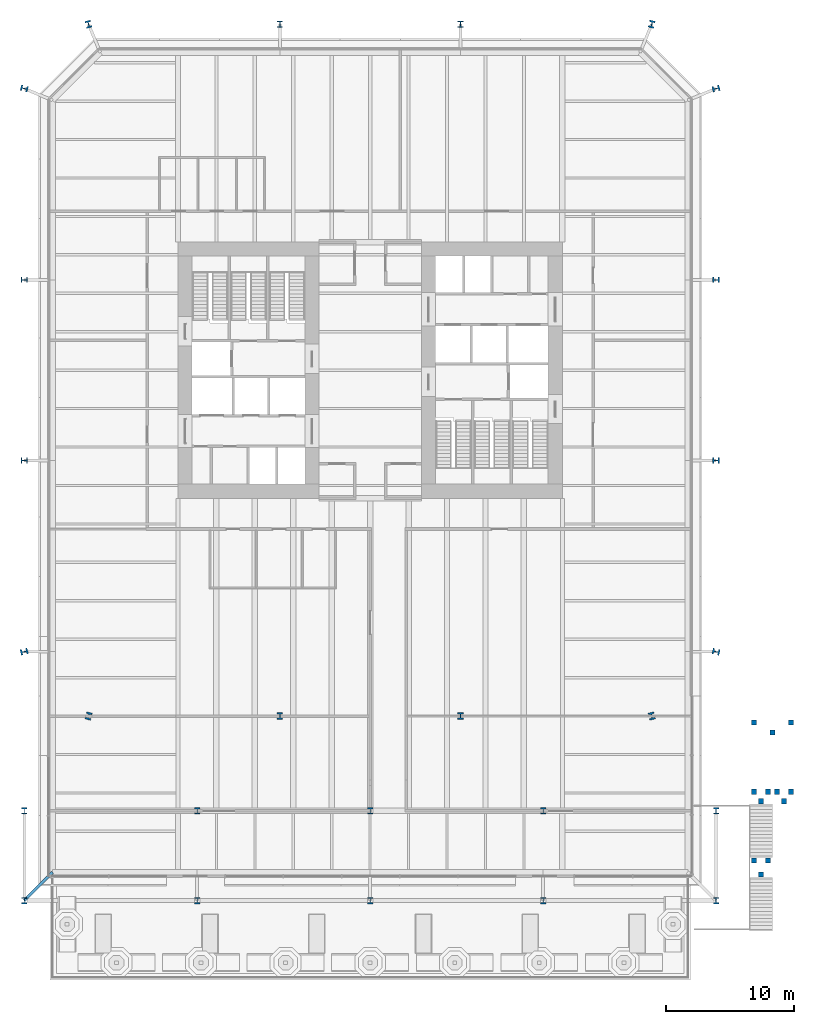
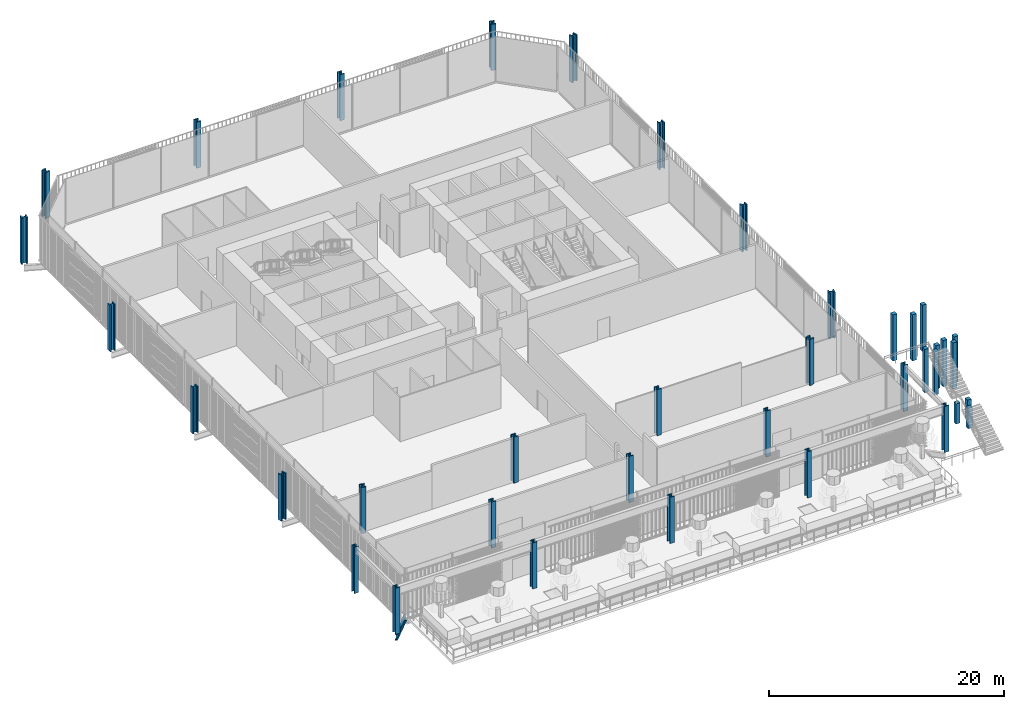
# One storey, part 1 of 25: 38 columns, 1 beam.
"""IFC4 building model written with IfcOpenShell, lengths in metres."""

import ifcopenshell
import ifcopenshell.guid

model = None  # the IFC model being written
_history = None  # IfcOwnerHistory: only IFC2X3 demands one
_inside = {}  # id of a spatial element -> (the spatial element, [elements in it])
_under = {}  # id of a project, library or spatial element -> (it, [spatial elements below it])
_declared = {}  # id of a project -> (the project, [libraries it declares])
_typed = {}  # id of a type object -> (the type object, [elements of that type])
_made_of = {}  # id of a material, layer set ... -> (it, [elements and type objects made of it])


def new_model(schema):
    """Start an empty IFC model of exactly this schema.

    Asked for "IFC4X3", IfcOpenShell would pick the latest addendum, in which some entities
    have other attributes; the version numbers below select the first issue.
    IFC2X3 requires an IfcOwnerHistory on every rooted entity: one is made here for all.
    """
    global model, _history
    if schema == "IFC4X3":
        model = ifcopenshell.file(schema_version=(4, 3, 0, 0))
    else:
        model = ifcopenshell.file(schema=schema)
    _inside.clear()
    _under.clear()
    _declared.clear()
    _typed.clear()
    _made_of.clear()
    _history = None
    if model.schema == "IFC2X3":
        org = make("IfcOrganization", Name="unknown")
        user = make(
            "IfcPersonAndOrganization",
            ThePerson=make("IfcPerson", FamilyName="unknown"),
            TheOrganization=org,
        )
        app = make(
            "IfcApplication",
            ApplicationDeveloper=org,
            Version="unknown",
            ApplicationFullName="unknown",
            ApplicationIdentifier="unknown",
        )
        _history = make(
            "IfcOwnerHistory",
            OwningUser=user,
            OwningApplication=app,
            ChangeAction="ADDED",
            CreationDate=0,
        )
    return model


def make(cls, **values):
    """One entity of the class cls with the attributes given. An attribute that is None is left unset."""
    return model.create_entity(
        cls, **{name: value for name, value in values.items() if value is not None}
    )


def rooted(cls, **values):
    """An entity with a GlobalId (a new one), such as an element, a storey or a relation."""
    return make(cls, GlobalId=ifcopenshell.guid.new(), OwnerHistory=_history, **values)


def si_unit(unit_type, name, prefix=None):
    """IfcSIUnit, for example si_unit("LENGTHUNIT", "METRE", prefix="MILLI")."""
    return make("IfcSIUnit", UnitType=unit_type, Prefix=prefix, Name=name)


def assignment(units):
    """IfcUnitAssignment: the units of a project."""
    return None if units is None else make("IfcUnitAssignment", Units=units)


def point(xyz):
    """IfcCartesianPoint."""
    return None if xyz is None else make("IfcCartesianPoint", Coordinates=xyz)


def direction(xyz):
    """IfcDirection."""
    return None if xyz is None else make("IfcDirection", DirectionRatios=xyz)


def frame(location, z_axis=None, x_axis=None):
    """IfcAxis2Placement3D, a coordinate frame: its origin and axes. An axis left out is left unset."""
    return make(
        "IfcAxis2Placement3D",
        Location=point(location),
        Axis=direction(z_axis),
        RefDirection=direction(x_axis),
    )


def frame_2d(location, x_axis=None):
    """IfcAxis2Placement2D, a coordinate frame in the plane: its origin and x axis."""
    return make(
        "IfcAxis2Placement2D", Location=point(location), RefDirection=direction(x_axis)
    )


def origin():
    """The frame at (0, 0, 0) with its axes left unset."""
    return frame((0.0, 0.0, 0.0))


def origin_2d():
    """The frame at (0, 0) in the plane with its x axis left unset."""
    return frame_2d((0.0, 0.0))


def place(relative_to, where):
    """IfcLocalPlacement: puts the frame where relative to a parent placement (None: the world)."""
    return make(
        "IfcLocalPlacement", PlacementRelTo=relative_to, RelativePlacement=where
    )


def context(
    kind, dimensions, precision=None, world=None, true_north=None, identifier=None
):
    """IfcGeometricRepresentationContext, for example the 3D "Model" context."""
    return make(
        "IfcGeometricRepresentationContext",
        ContextIdentifier=identifier,
        ContextType=kind,
        CoordinateSpaceDimension=dimensions,
        Precision=precision,
        WorldCoordinateSystem=world,
        TrueNorth=true_north,
    )


def subcontext(parent, identifier, kind, view, scale=None):
    """IfcGeometricRepresentationSubContext, for example "Body" below "Model"."""
    return make(
        "IfcGeometricRepresentationSubContext",
        ContextIdentifier=identifier,
        ContextType=kind,
        ParentContext=parent,
        TargetScale=scale,
        TargetView=view,
    )


def project(units=None, contexts=None):
    """IfcProject with its units and contexts."""
    return rooted(
        "IfcProject",
        Name="project",
        RepresentationContexts=contexts,
        UnitsInContext=assignment(units),
    )


def spatial(cls, under=None, at=None, **own):
    """A site, building, storey or space (cls), placed at a placement, below another one or the project."""
    s = rooted(cls, ObjectPlacement=at, **own)
    if under is not None:
        _under.setdefault(under.id(), (under, []))[1].append(s)
    return s


def profile(cls, at=None, kind="AREA", **sizes):
    """A parametric profile (cls). Its sizes go by their IFC names, for example OverallWidth=200.0."""
    return make(cls, ProfileType=kind, Position=at, **sizes)


def rectangle(**sizes):
    """IfcRectangleProfileDef."""
    return profile("IfcRectangleProfileDef", **sizes)


def i_section(**sizes):
    """IfcIShapeProfileDef."""
    return profile("IfcIShapeProfileDef", **sizes)


def extrude(swept, where, along, depth):
    """IfcExtrudedAreaSolid: the profile swept, set in the frame where, extruded along a direction by depth."""
    return make(
        "IfcExtrudedAreaSolid",
        SweptArea=swept,
        Position=where,
        ExtrudedDirection=direction(along),
        Depth=depth,
    )


def shape(context_of_items, identifier, shape_type, items):
    """IfcShapeRepresentation: the items that make up one representation, for example the "Body"."""
    return make(
        "IfcShapeRepresentation",
        ContextOfItems=context_of_items,
        RepresentationIdentifier=identifier,
        RepresentationType=shape_type,
        Items=items,
    )


def material(Name=None, Category=None):
    """IfcMaterial."""
    return make("IfcMaterial", Name=Name, Category=Category)


def material_profile(
    of_material, cross_section, Name=None, Category=None, Priority=None
):
    """IfcMaterialProfile: a cross section and its material."""
    return make(
        "IfcMaterialProfile",
        Name=Name,
        Material=of_material,
        Profile=cross_section,
        Priority=Priority,
        Category=Category,
    )


def profile_set(profiles, Name=None, composite=None):
    """IfcMaterialProfileSet."""
    return make(
        "IfcMaterialProfileSet",
        Name=Name,
        MaterialProfiles=profiles,
        CompositeProfile=composite,
    )


def made_of(thing, what):
    """Note that an element or type object is made of a material, layer set ...; save() writes the relation."""
    if what is not None:
        _made_of.setdefault(what.id(), (what, []))[1].append(thing)
    return thing


def type_object(cls, material=None, **own):
    """A type object (cls), such as IfcWallType, which elements share."""
    return made_of(rooted(cls, **own), material)


def element(
    cls,
    number,
    at=None,
    inside=None,
    cuts=None,
    type_object=None,
    material=None,
    context=None,
    identifier="Body",
    shape_type=None,
    held_by="IfcProductDefinitionShape",
    body=None,
    shapes=None,
    **own,
):
    """One element of the class cls, such as IfcWall. Its Tag is "e" and its number.

    at: its placement. inside: the storey or other place that contains it. cuts: it is an
    opening in that element (IfcRelVoidsElement). A single representation is given by context,
    identifier, shape_type and body (its items); several are given by shapes. held_by: the class
    of the entity that holds the representations. save() writes the other relations.
    """
    e = rooted(cls, Tag="e%d" % number, ObjectPlacement=at, **own)
    if body is not None:
        shapes = [shape(context, identifier, shape_type, body)]
    if shapes is not None:
        e.Representation = make(held_by, Representations=shapes)
    if inside is not None:
        _inside.setdefault(inside.id(), (inside, []))[1].append(e)
    if cuts is not None:
        rooted(
            "IfcRelVoidsElement", RelatingBuildingElement=cuts, RelatedOpeningElement=e
        )
    if type_object is not None:
        _typed.setdefault(type_object.id(), (type_object, []))[1].append(e)
    return made_of(e, material)


def aggregate(whole, parts):
    """IfcRelAggregates: a whole, such as a stair, and the parts it consists of."""
    return rooted("IfcRelAggregates", RelatingObject=whole, RelatedObjects=parts)


def save(model, path):
    """Write the relations noted so far, then the file.

    IfcRelAggregates (storeys below a building ...), IfcRelContainedInSpatialStructure (elements
    in a storey), IfcRelDefinesByType, IfcRelAssociatesMaterial and IfcRelDeclares: one each for
    every whole, place, type object, material and project.
    """
    for whole, parts in _under.values():
        aggregate(whole, parts)
    for where, things in _inside.values():
        rooted(
            "IfcRelContainedInSpatialStructure",
            RelatedElements=things,
            RelatingStructure=where,
        )
    for kind, things in _typed.values():
        rooted("IfcRelDefinesByType", RelatedObjects=things, RelatingType=kind)
    for what, things in _made_of.values():
        rooted("IfcRelAssociatesMaterial", RelatedObjects=things, RelatingMaterial=what)
    for by, libraries in _declared.values():
        rooted("IfcRelDeclares", RelatingContext=by, RelatedDefinitions=libraries)
    model.write(path)


model = new_model("IFC4")

# Units and contexts
model_context = context("Model", 3, precision=1e-05, world=origin(), true_north=direction((0.0, 1.0)))
body_context = subcontext(model_context, "Body", "Model", "MODEL_VIEW")
ifc_project = project(units=[si_unit("LENGTHUNIT", "METRE"), si_unit("AREAUNIT", "SQUARE_METRE"), si_unit("VOLUMEUNIT", "CUBIC_METRE"), si_unit("PLANEANGLEUNIT", "RADIAN"), si_unit("MASSUNIT", "GRAM", prefix="KILO")], contexts=[model_context])

# Site, building, storey
site_placement = place(None, origin())
site = spatial("IfcSite", under=ifc_project, at=site_placement, CompositionType="ELEMENT")
building_placement = place(site_placement, origin())
building = spatial("IfcBuilding", under=site, at=building_placement, Name="Millrace Tower", CompositionType="ELEMENT")
storey_placement = place(building_placement, frame((0.0, 0.0, 6.5)))
storey = spatial("IfcBuildingStorey", under=building, at=storey_placement, Name="L02", CompositionType="ELEMENT", Elevation=6.5)

# Columns
ifc_material_1 = material(Name="Steel ASTM A913 Grade 65", Category="steel")
ifc_material_profile_1 = material_profile(ifc_material_1, i_section(OverallWidth=0.44189453125, OverallDepth=0.53076171875, WebThickness=0.06591796875, FlangeThickness=0.105712890625, FilletRadius=0.01513671875, at=origin_2d()))
ifc_profile_set_1 = profile_set([ifc_material_profile_1], Name="Steel ASTM A913 Grade 65")
column_type_1 = type_object("IfcColumnType", Name="Exoskeleton column W14x605", PredefinedType="COLUMN", material=ifc_profile_set_1)
for number, where, z_axis, x_axis, name in (
    (1, (-7.050048828125, -27.0, 0.0), (0.0, 0.0, 1.0), (1.0, 0.0, 0.0), "COL-A-L02-X03"),
    (2, (7.050048828125, -27.0, 0.0), (0.0, 0.0, 1.0), (1.0, 0.0, 0.0), "COL-A-L02-X04"),
    (3, (27.0, -7.050048828125, 0.0), (0.0, 0.0, 1.0), (0.0, 1.0, 0.0), "COL-A-L02-X07"),
    (4, (27.0, 7.050048828125, 0.0), (0.0, 0.0, 1.0), (0.0, 1.0, 0.0), "COL-A-L02-X08"),
    (5, (7.050048828125, 27.0, 0.0), (0.0, 0.0, 1.0), (-1.0, 0.0, 0.0), "COL-A-L02-X11"),
    (6, (-7.050048828125, 27.0, 0.0), (0.0, 0.0, 1.0), (-1.0, 0.0, 0.0), "COL-A-L02-X12"),
    (7, (-27.0, 7.050048828125, 0.0), (0.0, 0.0, 1.0), (0.0, -1.0, 0.0), "COL-A-L02-X15"),
    (8, (-27.0, -7.050048828125, 0.0), (0.0, 0.0, 1.0), (0.0, -1.0, 0.0), "COL-A-L02-X16"),
):
    element("IfcColumn", number, at=place(storey_placement, frame(where, z_axis=z_axis, x_axis=x_axis)), inside=storey, type_object=column_type_1, Name=name, PredefinedType="COLUMN", context=body_context, shape_type="SweptSolid", body=[
        extrude(i_section(OverallWidth=0.44189453125, OverallDepth=0.53076171875, WebThickness=0.06591796875, FlangeThickness=0.105712890625, FilletRadius=0.01513671875, at=origin_2d()), origin(), (0.0, 0.0, 1.0), 4.800048828125),
    ])
ifc_material_2 = material(Name="Steel ASTM A913 Grade 65", Category="steel")
ifc_material_profile_2 = material_profile(ifc_material_2, i_section(OverallWidth=0.45458984375, OverallDepth=0.56884765625, WebThickness=0.077880859375, FlangeThickness=0.124755859375, FilletRadius=0.01513671875, at=origin_2d()))
ifc_profile_set_2 = profile_set([ifc_material_profile_2], Name="Steel ASTM A913 Grade 65")
column_type_2 = type_object("IfcColumnType", Name="Exoskeleton column W14x730", PredefinedType="COLUMN", material=ifc_profile_set_2)
for number, where, z_axis, x_axis, name in (
    (9, (-27.0, -21.978515625, 0.0), (0.0, 0.0, 1.0), (0.244094142872, -0.969751540043, 0.0), "COL-A-L02-X01"),
    (10, (-21.978515625, -27.0, 0.0), (0.0, 0.0, 1.0), (0.969751540043, -0.244094142872, 0.0), "COL-A-L02-X02"),
    (11, (21.978515625, -27.0, 0.0), (0.0, 0.0, 1.0), (0.969751540043, 0.244094142872, 0.0), "COL-A-L02-X05"),
    (12, (27.0, -21.978515625, 0.0), (0.0, 0.0, 1.0), (0.244094142872, 0.969751540043, 0.0), "COL-A-L02-X06"),
    (13, (27.0, 21.978515625, 0.0), (0.0, 0.0, 1.0), (-0.244094142872, 0.969751540043, 0.0), "COL-A-L02-X09"),
    (14, (21.978515625, 27.0, 0.0), (0.0, 0.0, 1.0), (-0.969751540043, 0.244094142872, 0.0), "COL-A-L02-X10"),
    (15, (-21.978515625, 27.0, 0.0), (0.0, 0.0, 1.0), (-0.969751540043, -0.244094142872, 0.0), "COL-A-L02-X13"),
    (16, (-27.0, 21.978515625, 0.0), (0.0, 0.0, 1.0), (-0.244094142872, -0.969751540043, 0.0), "COL-A-L02-X14"),
):
    element("IfcColumn", number, at=place(storey_placement, frame(where, z_axis=z_axis, x_axis=x_axis)), inside=storey, type_object=column_type_2, Name=name, PredefinedType="COLUMN", context=body_context, shape_type="SweptSolid", body=[
        extrude(i_section(OverallWidth=0.45458984375, OverallDepth=0.56884765625, WebThickness=0.077880859375, FlangeThickness=0.124755859375, FilletRadius=0.01513671875, at=origin_2d()), origin(), (0.0, 0.0, 1.0), 4.800048828125),
    ])
ifc_material_3 = material(Name="Concrete C45", Category="concrete")
ifc_material_profile_3 = material_profile(ifc_material_3, rectangle(XDim=0.39990234375, YDim=0.39990234375, at=origin_2d()))
ifc_profile_set_3 = profile_set([ifc_material_profile_3], Name="Concrete C45")
column_type_3 = type_object("IfcColumnType", Name="Landing pier column 400", PredefinedType="COLUMN", material=ifc_profile_set_3)
for number, where, z_axis, x_axis, name in (
    (17, (29.949951171875, -38.27001953125, 0.0), (0.0, 0.0, 1.0), (1.0, 0.0, 0.0), "Landing pier column RP-B-MID 1 L02"),
    (18, (30.5, -39.3701171875, 0.0), (0.0, 0.0, 1.0), (1.0, 0.0, 0.0), "Landing pier column RP-B-MID 2 L02"),
    (19, (31.050048828125, -38.27001953125, 0.0), (0.0, 0.0, 1.0), (1.0, 0.0, 0.0), "Landing pier column RP-B-MID 3 L02"),
):
    element("IfcColumn", number, at=place(storey_placement, frame(where, z_axis=z_axis, x_axis=x_axis)), inside=storey, type_object=column_type_3, Name=name, PredefinedType="COLUMN", context=body_context, shape_type="SweptSolid", body=[
        extrude(rectangle(XDim=0.39990234375, YDim=0.39990234375, at=origin_2d()), origin(), (0.0, 0.0, 1.0), 2.10009765625),
    ])
for number, where, z_axis, x_axis, name in (
    (20, (29.949951171875, -32.909912109375, 0.0), (0.0, 0.0, 1.0), (1.0, 0.0, 0.0), "Landing pier column RP-B-TOP 1 L02"),
    (21, (30.5, -33.64990234375, 0.0), (0.0, 0.0, 1.0), (1.0, 0.0, 0.0), "Landing pier column RP-B-TOP 2 L02"),
    (22, (31.050048828125, -32.909912109375, 0.0), (0.0, 0.0, 1.0), (1.0, 0.0, 0.0), "Landing pier column RP-B-TOP 3 L02"),
):
    element("IfcColumn", number, at=place(storey_placement, frame(where, z_axis=z_axis, x_axis=x_axis)), inside=storey, type_object=column_type_3, Name=name, PredefinedType="COLUMN", context=body_context, shape_type="SweptSolid", body=[
        extrude(rectangle(XDim=0.39990234375, YDim=0.39990234375, at=origin_2d()), origin(), (0.0, 0.0, 1.0), 4.5),
    ])
for number, where, z_axis, x_axis, name in (
    (23, (29.949951171875, -27.489990234375, 0.0), (0.0, 0.0, 1.0), (1.0, 0.0, 0.0), "Landing pier column RP-C-MID 1 L02"),
    (24, (31.39990234375, -28.2900390625, 0.0), (0.0, 0.0, 1.0), (1.0, 0.0, 0.0), "Landing pier column RP-C-MID 2 L02"),
    (25, (32.85009765625, -27.489990234375, 0.0), (0.0, 0.0, 1.0), (1.0, 0.0, 0.0), "Landing pier column RP-C-MID 3 L02"),
    (26, (31.75, -32.909912109375, 0.0), (0.0, 0.0, 1.0), (1.0, 0.0, 0.0), "Landing pier column RP-C-TOP 1 L02"),
    (27, (32.300048828125, -33.64990234375, 0.0), (0.0, 0.0, 1.0), (1.0, 0.0, 0.0), "Landing pier column RP-C-TOP 2 L02"),
    (28, (32.85009765625, -32.909912109375, 0.0), (0.0, 0.0, 1.0), (1.0, 0.0, 0.0), "Landing pier column RP-C-TOP 3 L02"),
):
    element("IfcColumn", number, at=place(storey_placement, frame(where, z_axis=z_axis, x_axis=x_axis)), inside=storey, type_object=column_type_3, Name=name, PredefinedType="COLUMN", context=body_context, shape_type="SweptSolid", body=[
        extrude(rectangle(XDim=0.39990234375, YDim=0.39990234375, at=origin_2d()), origin(), (0.0, 0.0, 1.0), 4.800048828125),
    ])
ifc_material_4 = material(Name="Steel ASTM A913 Grade 65", Category="steel")
ifc_material_profile_4 = material_profile(ifc_material_4, i_section(OverallWidth=0.431884765625, OverallDepth=0.497802734375, WebThickness=0.0556640625, FlangeThickness=0.0888671875, FilletRadius=0.01513671875, at=origin_2d()))
ifc_profile_set_4 = profile_set([ifc_material_profile_4], Name="Steel ASTM A913 Grade 65")
column_type_4 = type_object("IfcColumnType", Name="Wing column W14x500", PredefinedType="COLUMN", material=ifc_profile_set_4)
for number, where, z_axis, x_axis, name in (
    (29, (-27.0, -41.39990234375, 0.0), (0.0, 0.0, 1.0), (1.0, 0.0, 0.0), "COL-AW2-L02-X02"),
    (30, (-13.5, -41.39990234375, 0.0), (0.0, 0.0, 1.0), (1.0, 0.0, 0.0), "COL-AW2-L02-X03"),
    (31, (0.0, -41.39990234375, 0.0), (0.0, 0.0, 1.0), (1.0, 0.0, 0.0), "COL-AW2-L02-X04"),
    (32, (13.5, -41.39990234375, 0.0), (0.0, 0.0, 1.0), (1.0, 0.0, 0.0), "COL-AW2-L02-X05"),
    (33, (27.0, -41.39990234375, 0.0), (0.0, 0.0, 1.0), (1.0, 0.0, 0.0), "COL-AW2-L02-X06"),
    (34, (-27.0, -34.39990234375, 0.0), (0.0, 0.0, 1.0), (1.0, 0.0, 0.0), "COL-AW3-L02-X01"),
    (35, (-13.5, -34.39990234375, 0.0), (0.0, 0.0, 1.0), (1.0, 0.0, 0.0), "COL-AW3-L02-X02"),
    (36, (0.0, -34.39990234375, 0.0), (0.0, 0.0, 1.0), (1.0, 0.0, 0.0), "COL-AW3-L02-X03"),
    (37, (13.5, -34.39990234375, 0.0), (0.0, 0.0, 1.0), (1.0, 0.0, 0.0), "COL-AW3-L02-X04"),
    (38, (27.0, -34.39990234375, 0.0), (0.0, 0.0, 1.0), (1.0, 0.0, 0.0), "COL-AW3-L02-X05"),
):
    element("IfcColumn", number, at=place(storey_placement, frame(where, z_axis=z_axis, x_axis=x_axis)), inside=storey, type_object=column_type_4, Name=name, PredefinedType="COLUMN", context=body_context, shape_type="SweptSolid", body=[
        extrude(i_section(OverallWidth=0.431884765625, OverallDepth=0.497802734375, WebThickness=0.0556640625, FlangeThickness=0.0888671875, FilletRadius=0.01513671875, at=origin_2d()), origin(), (0.0, 0.0, 1.0), 4.800048828125),
    ])

# Beam
ifc_material_5 = material(Name="Steel ASTM A992 Grade 50", Category="steel")
ifc_material_profile_5 = material_profile(ifc_material_5, i_section(OverallWidth=0.23046875, OverallDepth=0.6171875, WebThickness=0.01318359375, FlangeThickness=0.022216796875, FilletRadius=0.012939453125, at=origin_2d()))
ifc_profile_set_5 = profile_set([ifc_material_profile_5], Name="Steel ASTM A992 Grade 50")
beam_type = type_object("IfcBeamType", Name="Link beam W24x94", PredefinedType="BEAM", material=ifc_profile_set_5)
beam_placement = place(storey_placement, frame((-24.7890625, -39.189208984375, -0.53369140625), z_axis=(-0.707145823054, -0.707067737163, 0.0), x_axis=(0.707067737163, -0.707145823054, 0.0)))
element("IfcBeam", 39, at=beam_placement, inside=storey, type_object=beam_type, Name="LNK-A-L02-S1-01", PredefinedType="BEAM", context=body_context, shape_type="SweptSolid", body=[
    extrude(i_section(OverallWidth=0.23046875, OverallDepth=0.6171875, WebThickness=0.01318359375, FlangeThickness=0.022216796875, FilletRadius=0.012939453125, at=origin_2d()), origin(), (0.0, 0.0, 1.0), 3.12646484375),
])

save(model, "model.ifc")
